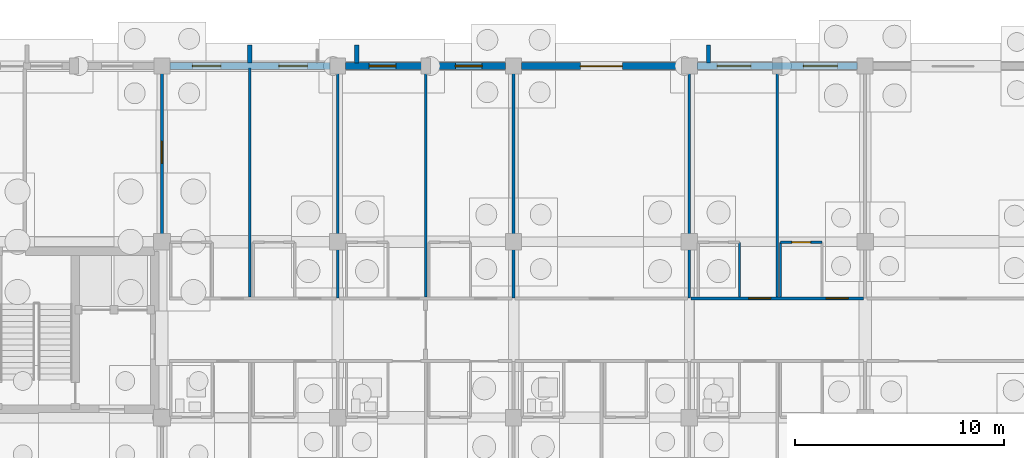
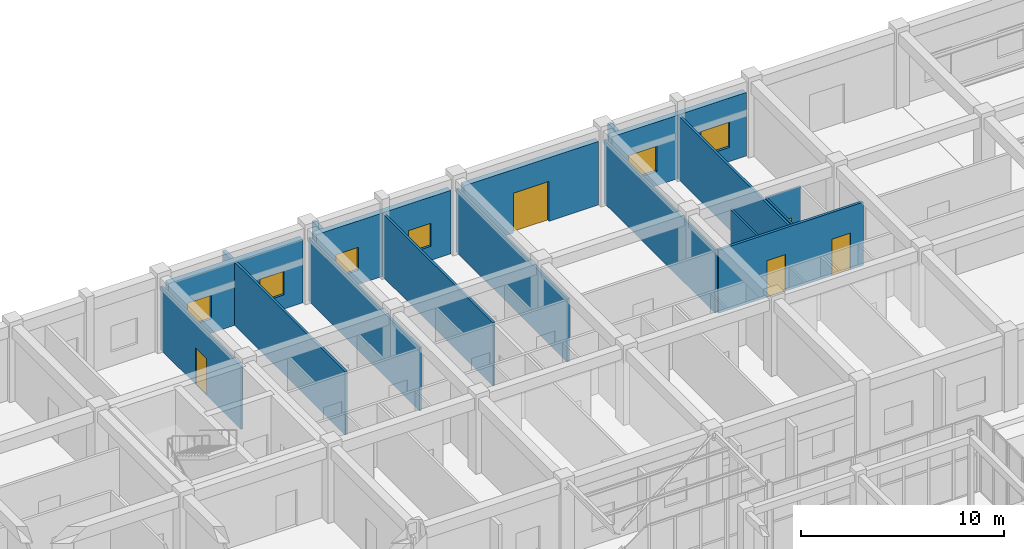
# One storey, part 169 of 192: 18 walls, 6 windows, 5 doors, 11 openings.
"""IFC4 building model written with IfcOpenShell, lengths in metres."""

from ifc_helpers import new_model, si_unit, direction, frame, frame_2d, origin, place, context, subcontext, project, spatial, rectangle, extrude, material, layer, layer_set, type_object, element, fill, save


model = new_model("IFC4")

# Units and contexts
model_context = context("Model", 3, precision=1e-05, world=origin(), true_north=direction((0.0, 1.0)))
body_context = subcontext(model_context, "Body", "Model", "MODEL_VIEW")
ifc_project = project(units=[si_unit("LENGTHUNIT", "METRE"), si_unit("AREAUNIT", "SQUARE_METRE"), si_unit("VOLUMEUNIT", "CUBIC_METRE"), si_unit("PLANEANGLEUNIT", "RADIAN"), si_unit("MASSUNIT", "GRAM", prefix="KILO")], contexts=[model_context])

# Site, building, storey
site_placement = place(None, origin())
site = spatial("IfcSite", under=ifc_project, at=site_placement, CompositionType="ELEMENT")
building_placement = place(site_placement, origin())
building = spatial("IfcBuilding", under=site, at=building_placement, Name="Trelvath General Hospital", CompositionType="ELEMENT")
storey_placement = place(building_placement, origin())
storey = spatial("IfcBuildingStorey", under=building, at=storey_placement, Name="L00", CompositionType="ELEMENT", Elevation=0.0)

# Walls
ifc_material_1 = material(Name="Precast concrete C40/50", Category="concrete")
ifc_layer_1 = layer(ifc_material_1, 0.199951171875)
ifc_layer_set_1 = layer_set([ifc_layer_1], Name="Precast concrete C40/50")
wall_type_1 = type_object("IfcWallType", Name="BriseSoleilRib 200", PredefinedType="ELEMENTEDWALL", material=ifc_layer_set_1)
for number, where, z_axis, x_axis, name in (
    (1, (96.60009765625, 117.75, 0.0), (0.0, 0.0, 1.0), (0.0, 1.0, 0.0), "Precast Concrete Brise-Soleil Rib Fin L00-43"),
    (2, (101.71044921875, 117.75, 0.0), (0.0, 0.0, 1.0), (0.0, 1.0, 0.0), "Precast Concrete Brise-Soleil Rib Fin L00-47"),
    (3, (118.510498046875, 117.75, 0.0), (0.0, 0.0, 1.0), (0.0, 1.0, 0.0), "Precast Concrete Brise-Soleil Rib Fin L00-53"),
):
    element("IfcWall", number, at=place(storey_placement, frame(where, z_axis=z_axis, x_axis=x_axis)), inside=storey, type_object=wall_type_1, Name=name, PredefinedType="ELEMENTEDWALL", context=body_context, shape_type="SweptSolid", body=[
        extrude(rectangle(XDim=0.85009765625, YDim=0.199951171875, at=frame_2d((0.425048828125, 0.0))), origin(), (0.0, 0.0, 1.0), 3.800048828125),
    ])

# Wall, openings, doors
ifc_material_2 = material(Name="Gypsum acoustic steel-stud partition", Category="steel")
ifc_layer_2 = layer(ifc_material_2, 0.14990234375)
ifc_layer_set_2 = layer_set([ifc_layer_2], Name="Gypsum acoustic steel-stud partition")
wall_type_2 = type_object("IfcWallType", Name="ClinicalPartition 150", PredefinedType="PARTITIONING", material=ifc_layer_set_2)
wall_1_placement = place(storey_placement, frame((125.919921875, 106.5, 0.0), z_axis=(0.0, 0.0, 1.0), x_axis=(-1.0, 0.0, 0.0)))
wall_1 = element("IfcWall", 4, at=wall_1_placement, inside=storey, type_object=wall_type_2, Name="Corridor Partition N L00-307", PredefinedType="PARTITIONING", context=body_context, shape_type="SweptSolid", body=[
    extrude(rectangle(XDim=8.239990234375, YDim=0.14990234375, at=frame_2d((4.1201171875, 0.0))), origin(), (0.0, 0.0, 1.0), 3.800048828125),
])
opening_1_placement = place(wall_1_placement, frame((0.72998046875, 0.0, 0.0)))
opening_1 = element("IfcOpeningElement", 5, at=opening_1_placement, cuts=wall_1, Name="Opening D-0-0432", PredefinedType="OPENING", context=body_context, shape_type="SweptSolid", body=[
    extrude(rectangle(XDim=1.050048828125, YDim=2.199951171875, at=frame_2d((0.52490234375, 1.10009765625))), frame((0.0, 0.0849609375, 0.0), z_axis=(0.0, -1.0, 0.0), x_axis=(1.0, 0.0, 0.0)), (0.0, 0.0, 1.0), 0.169921875),
])
opening_2_placement = place(wall_1_placement, frame((4.429931640625, 0.0, 0.0)))
opening_2 = element("IfcOpeningElement", 6, at=opening_2_placement, cuts=wall_1, Name="Opening D-0-0433", PredefinedType="OPENING", context=body_context, shape_type="SweptSolid", body=[
    extrude(rectangle(XDim=1.050048828125, YDim=2.199951171875, at=frame_2d((0.52490234375, 1.10009765625))), frame((0.0, 0.0849609375, 0.0), z_axis=(0.0, -1.0, 0.0), x_axis=(1.0, 0.0, 0.0)), (0.0, 0.0, 1.0), 0.169921875),
])
ifc_material_3 = material(Name="Acoustic hospital timber leaf", Category="wood")
door_type_1 = type_object("IfcDoorType", Name="Door Consult 1050x2200", OperationType="NOTDEFINED", PredefinedType="DOOR", material=ifc_material_3)
door_1_placement = place(opening_1_placement, origin())
door_1 = element("IfcDoor", 7, at=door_1_placement, inside=storey, type_object=door_type_1, Name="Patient Room Door N L00-432", OperationType="SINGLE_SWING_RIGHT", OverallHeight=2.199951171875, OverallWidth=1.050048828125, PredefinedType="DOOR", context=body_context, shape_type="SweptSolid", body=[
    extrude(rectangle(XDim=1.050048828125, YDim=2.199951171875, at=frame_2d((0.52490234375, 1.10009765625))), frame((0.0, 0.02490234375, 0.0), z_axis=(0.0, -1.0, 0.0), x_axis=(1.0, 0.0, 0.0)), (0.0, 0.0, 1.0), 0.050048828125),
])
fill(opening_1, door_1)
door_2_placement = place(opening_2_placement, origin())
door_2 = element("IfcDoor", 8, at=door_2_placement, inside=storey, type_object=door_type_1, Name="Patient Room Door N L00-433", OperationType="SINGLE_SWING_RIGHT", OverallHeight=2.199951171875, OverallWidth=1.050048828125, PredefinedType="DOOR", context=body_context, shape_type="SweptSolid", body=[
    extrude(rectangle(XDim=1.050048828125, YDim=2.199951171875, at=frame_2d((0.52490234375, 1.10009765625))), frame((0.0, 0.02490234375, 0.0), z_axis=(0.0, -1.0, 0.0), x_axis=(1.0, 0.0, 0.0)), (0.0, 0.0, 1.0), 0.050048828125),
])
fill(opening_2, door_2)

# Walls
ifc_material_4 = material(Name="Moisture-resistant tile partition")
ifc_layer_3 = layer(ifc_material_4, 0.110107421875)
ifc_layer_set_3 = layer_set([ifc_layer_3], Name="Moisture-resistant tile partition")
wall_type_3 = type_object("IfcWallType", Name="EnSuiteWetWall 110", PredefinedType="PARTITIONING", material=ifc_layer_set_3)
for number, where, z_axis, x_axis, name in (
    (9, (120.0, 106.570068359375, 0.0), (0.0, 0.0, 1.0), (0.0, 1.0, 0.0), "En-Suite E Wall N L00-310"),
    (10, (121.9599609375, 106.570068359375, 0.0), (0.0, 0.0, 1.0), (0.0, 1.0, 0.0), "En-Suite W Wall N L00-312"),
):
    element("IfcWall", number, at=place(storey_placement, frame(where, z_axis=z_axis, x_axis=x_axis)), inside=storey, type_object=wall_type_3, Name=name, PredefinedType="PARTITIONING", context=body_context, shape_type="SweptSolid", body=[
        extrude(rectangle(XDim=2.60986328125, YDim=0.110107421875, at=frame_2d((1.304931640625, 0.0))), origin(), (0.0, 0.0, 1.0), 3.800048828125),
    ])

# Wall, opening, door
wall_2_placement = place(storey_placement, frame((121.9599609375, 109.179931640625, 0.0), z_axis=(0.0, 0.0, 1.0), x_axis=(1.0, 0.0, 0.0)))
wall_2 = element("IfcWall", 11, at=wall_2_placement, inside=storey, type_object=wall_type_3, Name="En-Suite Bathroom N Partition L00-314", PredefinedType="PARTITIONING", context=body_context, shape_type="SweptSolid", body=[
    extrude(rectangle(XDim=1.97998046875, YDim=0.110107421875, at=frame_2d((0.989990234375, 0.0))), origin(), (0.0, 0.0, 1.0), 3.800048828125),
])
opening_3_placement = place(wall_2_placement, frame((0.5400390625, 0.0, 0.0)))
opening_3 = element("IfcOpeningElement", 12, at=opening_3_placement, cuts=wall_2, Name="Opening D-0-0435", PredefinedType="OPENING", context=body_context, shape_type="SweptSolid", body=[
    extrude(rectangle(XDim=0.89990234375, YDim=2.10009765625, at=frame_2d((0.449951171875, 1.050048828125))), frame((0.0, 0.06494140625, 0.0), z_axis=(0.0, -1.0, 0.0), x_axis=(1.0, 0.0, 0.0)), (0.0, 0.0, 1.0), 0.130126953125),
])
ifc_material_5 = material(Name="Moisture-sealed timber leaf", Category="wood")
door_type_2 = type_object("IfcDoorType", Name="Door EnSuite 900x2100", OperationType="NOTDEFINED", PredefinedType="DOOR", material=ifc_material_5)
door_3_placement = place(opening_3_placement, origin())
door_3 = element("IfcDoor", 13, at=door_3_placement, inside=storey, type_object=door_type_2, Name="En-Suite Bathroom N Door L00-435", OperationType="SINGLE_SWING_RIGHT", OverallHeight=2.10009765625, OverallWidth=0.89990234375, PredefinedType="DOOR", context=body_context, shape_type="SweptSolid", body=[
    extrude(rectangle(XDim=0.89990234375, YDim=2.10009765625, at=frame_2d((0.449951171875, 1.050048828125))), frame((0.0, 0.02490234375, 0.0), z_axis=(0.0, -1.0, 0.0), x_axis=(1.0, 0.0, 0.0)), (0.0, 0.0, 1.0), 0.050048828125),
])
fill(opening_3, door_3)

# Wall, openings, windows
ifc_material_6 = material(Name="Concrete C35/45", Category="concrete")
ifc_layer_4 = layer(ifc_material_6, 0.320068359375)
ifc_layer_set_4 = layer_set([ifc_layer_4], Name="Concrete C35/45")
wall_type_4 = type_object("IfcWallType", Name="ExtThermalWall 320", PredefinedType="SOLIDWALL", material=ifc_layer_set_4)
wall_3_placement = place(storey_placement, frame((92.77490234375, 117.60009765625, 0.0), z_axis=(0.0, 0.0, 1.0), x_axis=(1.0, 0.0, 0.0)))
wall_3 = element("IfcWall", 14, at=wall_3_placement, inside=storey, type_object=wall_type_4, Name="Exterior Concrete Wall L00-67", PredefinedType="SOLIDWALL", context=body_context, shape_type="SweptSolid", body=[
    extrude(rectangle(XDim=7.650146484375, YDim=0.320068359375, at=frame_2d((3.8251953125, 0.0))), origin(), (0.0, 0.0, 1.0), 3.820068359375),
])
opening_4_placement = place(wall_3_placement, frame((1.07958984375, 0.0, 0.85009765625)))
opening_4 = element("IfcOpeningElement", 15, at=opening_4_placement, cuts=wall_3, Name="Opening WN-0-093", PredefinedType="OPENING", context=body_context, shape_type="SweptSolid", body=[
    extrude(rectangle(XDim=1.360107421875, YDim=1.419921875, at=frame_2d((0.68017578125, 0.7099609375))), frame((0.0, 0.169921875, 0.0), z_axis=(0.0, -1.0, 0.0), x_axis=(1.0, 0.0, 0.0)), (0.0, 0.0, 1.0), 0.340087890625),
])
opening_5_placement = place(wall_3_placement, frame((5.21044921875, 0.0, 0.85009765625)))
opening_5 = element("IfcOpeningElement", 16, at=opening_5_placement, cuts=wall_3, Name="Opening WN-0-094", PredefinedType="OPENING", context=body_context, shape_type="SweptSolid", body=[
    extrude(rectangle(XDim=1.360107421875, YDim=1.419921875, at=frame_2d((0.68017578125, 0.7099609375))), frame((0.0, 0.169921875, 0.0), z_axis=(0.0, -1.0, 0.0), x_axis=(1.0, 0.0, 0.0)), (0.0, 0.0, 1.0), 0.340087890625),
])
ifc_material_7 = material(Name="Low-E laminated glass", Category="glass")
window_type_1 = type_object("IfcWindowType", Name="Window Pathology 1360x1420", PartitioningType="DOUBLE_PANEL_VERTICAL", PredefinedType="WINDOW", material=ifc_material_7)
window_1_placement = place(opening_4_placement, origin())
window_1 = element("IfcWindow", 17, at=window_1_placement, inside=storey, type_object=window_type_1, Name="Solar Reveal Window L00-93", OverallHeight=1.419921875, OverallWidth=1.360107421875, PartitioningType="SINGLE_PANEL", PredefinedType="WINDOW", context=body_context, shape_type="SweptSolid", body=[
    extrude(rectangle(XDim=1.360107421875, YDim=1.419921875, at=frame_2d((0.68017578125, 0.7099609375))), frame((0.0, 0.030029296875, 0.0), z_axis=(0.0, -1.0, 0.0), x_axis=(1.0, 0.0, 0.0)), (0.0, 0.0, 1.0), 0.06005859375),
])
fill(opening_4, window_1)
window_2_placement = place(opening_5_placement, origin())
window_2 = element("IfcWindow", 18, at=window_2_placement, inside=storey, type_object=window_type_1, Name="Solar Reveal Window L00-94", OverallHeight=1.419921875, OverallWidth=1.360107421875, PartitioningType="SINGLE_PANEL", PredefinedType="WINDOW", context=body_context, shape_type="SweptSolid", body=[
    extrude(rectangle(XDim=1.360107421875, YDim=1.419921875, at=frame_2d((0.68017578125, 0.7099609375))), frame((0.0, 0.030029296875, 0.0), z_axis=(0.0, -1.0, 0.0), x_axis=(1.0, 0.0, 0.0)), (0.0, 0.0, 1.0), 0.06005859375),
])
fill(opening_5, window_2)

wall_4_placement = place(storey_placement, frame((101.175048828125, 117.60009765625, 0.0), z_axis=(0.0, 0.0, 1.0), x_axis=(1.0, 0.0, 0.0)))
wall_4 = element("IfcWall", 19, at=wall_4_placement, inside=storey, type_object=wall_type_4, Name="Exterior Concrete Wall L00-71", PredefinedType="SOLIDWALL", context=body_context, shape_type="SweptSolid", body=[
    extrude(rectangle(XDim=7.64990234375, YDim=0.320068359375, at=frame_2d((3.824951171875, 0.0))), origin(), (0.0, 0.0, 1.0), 3.820068359375),
])
opening_6_placement = place(wall_4_placement, frame((1.119384765625, 0.0, 0.85009765625)))
opening_6 = element("IfcOpeningElement", 20, at=opening_6_placement, cuts=wall_4, Name="Opening WN-0-101", PredefinedType="OPENING", context=body_context, shape_type="SweptSolid", body=[
    extrude(rectangle(XDim=1.280029296875, YDim=1.3798828125, at=frame_2d((0.64013671875, 0.68994140625))), frame((0.0, 0.169921875, 0.0), z_axis=(0.0, -1.0, 0.0), x_axis=(1.0, 0.0, 0.0)), (0.0, 0.0, 1.0), 0.340087890625),
])
opening_7_placement = place(wall_4_placement, frame((5.25048828125, 0.0, 0.85009765625)))
opening_7 = element("IfcOpeningElement", 21, at=opening_7_placement, cuts=wall_4, Name="Opening WN-0-102", PredefinedType="OPENING", context=body_context, shape_type="SweptSolid", body=[
    extrude(rectangle(XDim=1.280029296875, YDim=1.3798828125, at=frame_2d((0.64013671875, 0.68994140625))), frame((0.0, 0.169921875, 0.0), z_axis=(0.0, -1.0, 0.0), x_axis=(1.0, 0.0, 0.0)), (0.0, 0.0, 1.0), 0.340087890625),
])
ifc_material_8 = material(Name="Low-E laminated glass", Category="glass")
window_type_2 = type_object("IfcWindowType", Name="Window Telemetry 1280x1380", PartitioningType="DOUBLE_PANEL_VERTICAL", PredefinedType="WINDOW", material=ifc_material_8)
window_3_placement = place(opening_6_placement, origin())
window_3 = element("IfcWindow", 22, at=window_3_placement, inside=storey, type_object=window_type_2, Name="Solar Reveal Window L00-101", OverallHeight=1.3798828125, OverallWidth=1.280029296875, PartitioningType="SINGLE_PANEL", PredefinedType="WINDOW", context=body_context, shape_type="SweptSolid", body=[
    extrude(rectangle(XDim=1.280029296875, YDim=1.3798828125, at=frame_2d((0.64013671875, 0.68994140625))), frame((0.0, 0.030029296875, 0.0), z_axis=(0.0, -1.0, 0.0), x_axis=(1.0, 0.0, 0.0)), (0.0, 0.0, 1.0), 0.06005859375),
])
fill(opening_6, window_3)
window_4_placement = place(opening_7_placement, origin())
window_4 = element("IfcWindow", 23, at=window_4_placement, inside=storey, type_object=window_type_2, Name="Solar Reveal Window L00-102", OverallHeight=1.3798828125, OverallWidth=1.280029296875, PartitioningType="SINGLE_PANEL", PredefinedType="WINDOW", context=body_context, shape_type="SweptSolid", body=[
    extrude(rectangle(XDim=1.280029296875, YDim=1.3798828125, at=frame_2d((0.64013671875, 0.68994140625))), frame((0.0, 0.030029296875, 0.0), z_axis=(0.0, -1.0, 0.0), x_axis=(1.0, 0.0, 0.0)), (0.0, 0.0, 1.0), 0.06005859375),
])
fill(opening_7, window_4)

# Wall, opening, door
wall_5_placement = place(storey_placement, frame((109.574951171875, 117.60009765625, 0.0), z_axis=(0.0, 0.0, 1.0), x_axis=(1.0, 0.0, 0.0)))
wall_5 = element("IfcWall", 24, at=wall_5_placement, inside=storey, type_object=wall_type_4, Name="Exterior Concrete Wall L00-75", PredefinedType="SOLIDWALL", context=body_context, shape_type="SweptSolid", body=[
    extrude(rectangle(XDim=7.650146484375, YDim=0.320068359375, at=frame_2d((3.8251953125, 0.0))), origin(), (0.0, 0.0, 1.0), 3.820068359375),
])
opening_8_placement = place(wall_5_placement, frame((2.824951171875, 0.0, 0.0)))
opening_8 = element("IfcOpeningElement", 25, at=opening_8_placement, cuts=wall_5, Name="Opening E09", PredefinedType="OPENING", context=body_context, shape_type="SweptSolid", body=[
    extrude(rectangle(XDim=2.0, YDim=2.39990234375, at=frame_2d((1.0, 1.199951171875))), frame((0.0, 0.169921875, 0.0), z_axis=(0.0, -1.0, 0.0), x_axis=(1.0, 0.0, 0.0)), (0.0, 0.0, 1.0), 0.340087890625),
])
ifc_material_9 = material(Name="Thermally broken glazed exit pair")
door_type_3 = type_object("IfcDoorType", Name="Door GradeExit 2000x2400", OperationType="DOUBLE_SWING_LEFT", PredefinedType="DOOR", material=ifc_material_9)
door_4_placement = place(opening_8_placement, origin())
door_4 = element("IfcDoor", 26, at=door_4_placement, inside=storey, type_object=door_type_3, Name="Pedestrian Final Exit Door E09", OperationType="DOUBLE_SWING_LEFT", OverallHeight=2.39990234375, OverallWidth=2.0, PredefinedType="DOOR", context=body_context, shape_type="SweptSolid", body=[
    extrude(rectangle(XDim=2.0, YDim=2.39990234375, at=frame_2d((1.0, 1.199951171875))), frame((0.0, 0.02490234375, 0.0), z_axis=(0.0, -1.0, 0.0), x_axis=(1.0, 0.0, 0.0)), (0.0, 0.0, 1.0), 0.050048828125),
])
fill(opening_8, door_4)

# Wall, openings, windows
wall_6_placement = place(storey_placement, frame((117.97509765625, 117.60009765625, 0.0), z_axis=(0.0, 0.0, 1.0), x_axis=(1.0, 0.0, 0.0)))
wall_6 = element("IfcWall", 27, at=wall_6_placement, inside=storey, type_object=wall_type_4, Name="Exterior Concrete Wall L00-79", PredefinedType="SOLIDWALL", context=body_context, shape_type="SweptSolid", body=[
    extrude(rectangle(XDim=7.64990234375, YDim=0.320068359375, at=frame_2d((3.824951171875, 0.0))), origin(), (0.0, 0.0, 1.0), 3.820068359375),
])
opening_9_placement = place(wall_6_placement, frame((0.949462890625, 0.0, 0.85009765625)))
opening_9 = element("IfcOpeningElement", 28, at=opening_9_placement, cuts=wall_6, Name="Opening WN-0-113", PredefinedType="OPENING", context=body_context, shape_type="SweptSolid", body=[
    extrude(rectangle(XDim=1.6201171875, YDim=1.52001953125, at=frame_2d((0.81005859375, 0.760009765625))), frame((0.0, 0.169921875, 0.0), z_axis=(0.0, -1.0, 0.0), x_axis=(1.0, 0.0, 0.0)), (0.0, 0.0, 1.0), 0.340087890625),
])
opening_10_placement = place(wall_6_placement, frame((5.08056640625, 0.0, 0.85009765625)))
opening_10 = element("IfcOpeningElement", 29, at=opening_10_placement, cuts=wall_6, Name="Opening WN-0-114", PredefinedType="OPENING", context=body_context, shape_type="SweptSolid", body=[
    extrude(rectangle(XDim=1.6201171875, YDim=1.52001953125, at=frame_2d((0.81005859375, 0.760009765625))), frame((0.0, 0.169921875, 0.0), z_axis=(0.0, -1.0, 0.0), x_axis=(1.0, 0.0, 0.0)), (0.0, 0.0, 1.0), 0.340087890625),
])
ifc_material_10 = material(Name="Low-E laminated glass", Category="glass")
window_type_3 = type_object("IfcWindowType", Name="Window Triage 1620x1520", PartitioningType="DOUBLE_PANEL_VERTICAL", PredefinedType="WINDOW", material=ifc_material_10)
window_5_placement = place(opening_9_placement, origin())
window_5 = element("IfcWindow", 30, at=window_5_placement, inside=storey, type_object=window_type_3, Name="Solar Reveal Window L00-113", OverallHeight=1.52001953125, OverallWidth=1.6201171875, PartitioningType="SINGLE_PANEL", PredefinedType="WINDOW", context=body_context, shape_type="SweptSolid", body=[
    extrude(rectangle(XDim=1.6201171875, YDim=1.52001953125, at=frame_2d((0.81005859375, 0.760009765625))), frame((0.0, 0.030029296875, 0.0), z_axis=(0.0, -1.0, 0.0), x_axis=(1.0, 0.0, 0.0)), (0.0, 0.0, 1.0), 0.06005859375),
])
fill(opening_9, window_5)
window_6_placement = place(opening_10_placement, origin())
window_6 = element("IfcWindow", 31, at=window_6_placement, inside=storey, type_object=window_type_3, Name="Solar Reveal Window L00-114", OverallHeight=1.52001953125, OverallWidth=1.6201171875, PartitioningType="SINGLE_PANEL", PredefinedType="WINDOW", context=body_context, shape_type="SweptSolid", body=[
    extrude(rectangle(XDim=1.6201171875, YDim=1.52001953125, at=frame_2d((0.81005859375, 0.760009765625))), frame((0.0, 0.030029296875, 0.0), z_axis=(0.0, -1.0, 0.0), x_axis=(1.0, 0.0, 0.0)), (0.0, 0.0, 1.0), 0.06005859375),
])
fill(opening_10, window_6)

# Wall, opening, door
ifc_material_11 = material(Name="Gypsum acoustic steel-stud partition", Category="steel")
ifc_layer_5 = layer(ifc_material_11, 0.1298828125)
ifc_layer_set_5 = layer_set([ifc_layer_5], Name="Gypsum acoustic steel-stud partition")
wall_type_5 = type_object("IfcWallType", Name="WardPartition 130", PredefinedType="PARTITIONING", material=ifc_layer_set_5)
wall_7_placement = place(storey_placement, frame((92.39990234375, 109.550048828125, 0.0), z_axis=(0.0, 0.0, 1.0), x_axis=(0.0, 1.0, 0.0)))
wall_7 = element("IfcWall", 32, at=wall_7_placement, inside=storey, type_object=wall_type_5, Name="Inter-Bay Ward Partition N L00-249", PredefinedType="PARTITIONING", context=body_context, shape_type="SweptSolid", body=[
    extrude(rectangle(XDim=7.909912109375, YDim=0.1298828125, at=frame_2d((3.955078125, 0.0))), origin(), (0.0, 0.0, 1.0), 3.800048828125),
])
opening_11_placement = place(wall_7_placement, frame((3.39990234375, 0.0, 0.0)))
opening_11 = element("IfcOpeningElement", 33, at=opening_11_placement, cuts=wall_7, Name="Opening D-0-0405", PredefinedType="OPENING", context=body_context, shape_type="SweptSolid", body=[
    extrude(rectangle(XDim=1.050048828125, YDim=2.199951171875, at=frame_2d((0.52490234375, 1.10009765625))), frame((0.0, 0.074951171875, 0.0), z_axis=(0.0, -1.0, 0.0), x_axis=(1.0, 0.0, 0.0)), (0.0, 0.0, 1.0), 0.14990234375),
])
door_5_placement = place(opening_11_placement, origin())
door_5 = element("IfcDoor", 34, at=door_5_placement, inside=storey, type_object=door_type_1, Name="Consultation Connecting Door L00-405", OperationType="SINGLE_SWING_RIGHT", OverallHeight=2.199951171875, OverallWidth=1.050048828125, PredefinedType="DOOR", context=body_context, shape_type="SweptSolid", body=[
    extrude(rectangle(XDim=1.050048828125, YDim=2.199951171875, at=frame_2d((0.52490234375, 1.10009765625))), frame((0.0, 0.02490234375, 0.0), z_axis=(0.0, -1.0, 0.0), x_axis=(1.0, 0.0, 0.0)), (0.0, 0.0, 1.0), 0.050048828125),
])
fill(opening_11, door_5)

# Walls
wall_8_placement = place(storey_placement, frame((96.60009765625, 106.570068359375, 0.0), z_axis=(0.0, 0.0, 1.0), x_axis=(0.0, 1.0, 0.0)))
element("IfcWall", 35, at=wall_8_placement, inside=storey, type_object=wall_type_5, Name="Room Dividing Partition N L00-259", PredefinedType="PARTITIONING", context=body_context, shape_type="SweptSolid", body=[
    extrude(rectangle(XDim=10.929931640625, YDim=0.1298828125, at=frame_2d((5.46484375, 0.0))), origin(), (0.0, 0.0, 1.0), 3.800048828125),
])
wall_9_placement = place(storey_placement, frame((100.800048828125, 106.52001953125, 0.0), z_axis=(0.0, 0.0, 1.0), x_axis=(0.0, 1.0, 0.0)))
element("IfcWall", 36, at=wall_9_placement, inside=storey, type_object=wall_type_5, Name="Inter-Bay Ward Partition N L00-267", PredefinedType="PARTITIONING", context=body_context, shape_type="SweptSolid", body=[
    extrude(rectangle(XDim=10.93994140625, YDim=0.1298828125, at=frame_2d((5.469970703125, 0.0))), origin(), (0.0, 0.0, 1.0), 3.800048828125),
])
wall_10_placement = place(storey_placement, frame((105.0, 106.570068359375, 0.0), z_axis=(0.0, 0.0, 1.0), x_axis=(0.0, 1.0, 0.0)))
element("IfcWall", 37, at=wall_10_placement, inside=storey, type_object=wall_type_5, Name="Room Dividing Partition N L00-278", PredefinedType="PARTITIONING", context=body_context, shape_type="SweptSolid", body=[
    extrude(rectangle(XDim=10.929931640625, YDim=0.1298828125, at=frame_2d((5.46484375, 0.0))), origin(), (0.0, 0.0, 1.0), 3.800048828125),
])
for number, where, z_axis, x_axis, name in (
    (38, (109.199951171875, 106.52001953125, 0.0), (0.0, 0.0, 1.0), (0.0, 1.0, 0.0), "Inter-Bay Ward Partition N L00-287"),
    (39, (117.60009765625, 106.52001953125, 0.0), (0.0, 0.0, 1.0), (0.0, 1.0, 0.0), "Inter-Bay Ward Partition N L00-298"),
):
    element("IfcWall", number, at=place(storey_placement, frame(where, z_axis=z_axis, x_axis=x_axis)), inside=storey, type_object=wall_type_5, Name=name, PredefinedType="PARTITIONING", context=body_context, shape_type="SweptSolid", body=[
        extrude(rectangle(XDim=10.93994140625, YDim=0.1298828125, at=frame_2d((5.469970703125, 0.0))), origin(), (0.0, 0.0, 1.0), 3.800048828125),
    ])
wall_11_placement = place(storey_placement, frame((121.800048828125, 106.570068359375, 0.0), z_axis=(0.0, 0.0, 1.0), x_axis=(0.0, 1.0, 0.0)))
element("IfcWall", 40, at=wall_11_placement, inside=storey, type_object=wall_type_5, Name="Room Dividing Partition N L00-308", PredefinedType="PARTITIONING", context=body_context, shape_type="SweptSolid", body=[
    extrude(rectangle(XDim=10.929931640625, YDim=0.1298828125, at=frame_2d((5.46484375, 0.0))), origin(), (0.0, 0.0, 1.0), 3.800048828125),
])

save(model, "model.ifc")
